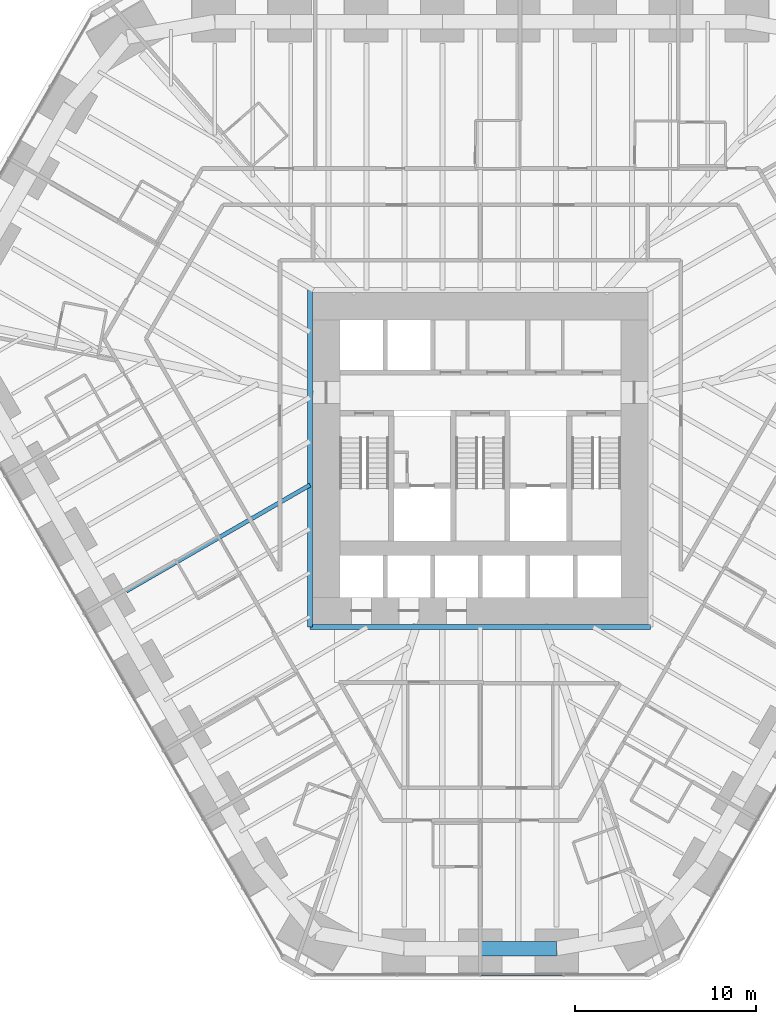
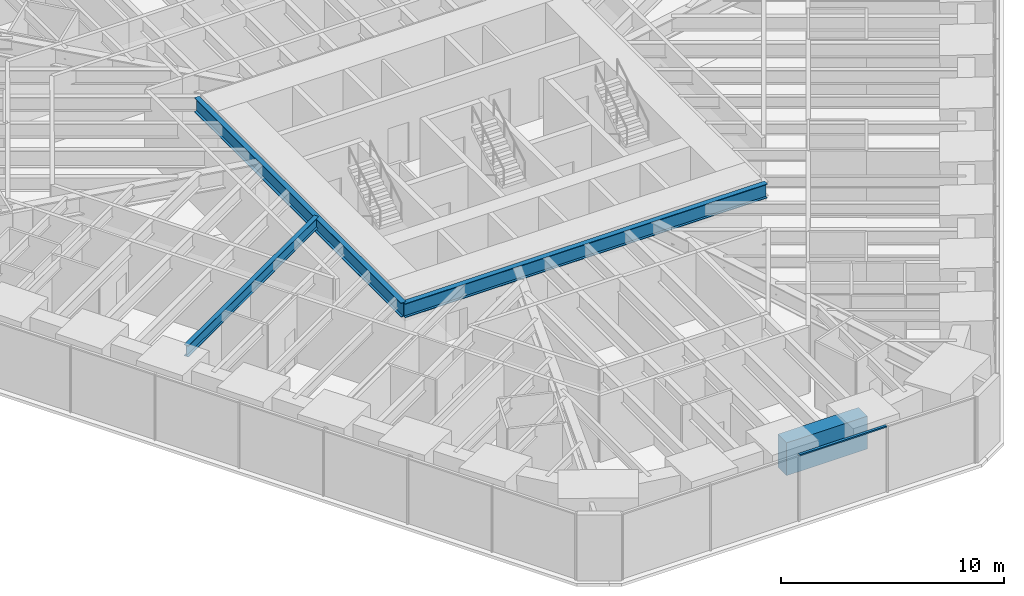
# One storey, part 4 of 17: 4 beams, 1 member, 1 element without a shape of its own.
"""IFC4 building model written with IfcOpenShell, lengths in metres."""

from ifc_helpers import new_model, si_unit, direction, frame, origin, origin_2d, place, context, subcontext, project, spatial, rectangle, i_section, extrude, material, material_profile, profile_set, type_object, element, aggregate, save


model = new_model("IFC4")

# Units and contexts
model_context = context("Model", 3, precision=1e-05, world=origin(), true_north=direction((0.0, 1.0)))
body_context = subcontext(model_context, "Body", "Model", "MODEL_VIEW")
ifc_project = project(units=[si_unit("LENGTHUNIT", "METRE"), si_unit("AREAUNIT", "SQUARE_METRE"), si_unit("VOLUMEUNIT", "CUBIC_METRE"), si_unit("PLANEANGLEUNIT", "RADIAN"), si_unit("MASSUNIT", "GRAM", prefix="KILO")], contexts=[model_context])

# Site, building, storey
site_placement = place(None, origin())
site = spatial("IfcSite", under=ifc_project, at=site_placement, CompositionType="ELEMENT")
building_placement = place(site_placement, origin())
building = spatial("IfcBuilding", under=site, at=building_placement, Name="Sandreach Pilgrim Tower", CompositionType="ELEMENT")
storey_placement = place(building_placement, frame((0.0, 0.0, 57.199951171875)))
storey = spatial("IfcBuildingStorey", under=building, at=storey_placement, Name="L13", CompositionType="ELEMENT", Elevation=57.199951171875)

# Curtain wall, member
ifc_material_1 = material(Name="Aluminium framed curtain wall", Category="aluminium")
curtain_wall_type = type_object("IfcCurtainWallType", Name="Hostel tower curtain wall", PredefinedType="NOTDEFINED", material=ifc_material_1)
curtain_wall_placement = place(storey_placement, origin())
curtain_wall = element("IfcCurtainWall", 1, at=curtain_wall_placement, inside=storey, type_object=curtain_wall_type, Name="CW-1 L13 S", PredefinedType="NOTDEFINED")
ifc_material_2 = material(Name="Aluminium extrusion", Category="aluminium")
ifc_material_profile_1 = material_profile(ifc_material_2, rectangle(XDim=0.139892578125, YDim=0.070068359375, at=origin_2d()), Name="CW-1T 140X70")
ifc_profile_set_1 = profile_set([ifc_material_profile_1], Name="Aluminium extrusion")
member_type = type_object("IfcMemberType", Name="CW-1 transom", PredefinedType="USERDEFINED", material=ifc_profile_set_1)
member_placement = place(storey_placement, frame((4.553466796875, -30.010986328125, 3.60498046875), z_axis=(-1.0, 0.0, 0.0), x_axis=(0.0, -1.0, 0.0)))
member = element("IfcMember", 2, at=member_placement, type_object=member_type, Name="CW-1 head transom 2", ObjectType="TRANSOM", PredefinedType="USERDEFINED", context=body_context, shape_type="SweptSolid", body=[
    extrude(rectangle(XDim=0.139892578125, YDim=0.070068359375, at=origin_2d()), origin(), (0.0, 0.0, 1.0), 4.52099609375),
])
aggregate(curtain_wall, [member])

# Beams
ifc_material_3 = material(Name="Steel ASTM A992 Grade 50", Category="steel")
ifc_material_profile_2 = material_profile(ifc_material_3, i_section(OverallWidth=0.2666015625, OverallDepth=0.77978515625, WebThickness=0.0166015625, FlangeThickness=0.030029296875, at=origin_2d()), Name="W30X148")
ifc_profile_set_2 = profile_set([ifc_material_profile_2], Name="Steel ASTM A992 Grade 50")
beam_type_1 = type_object("IfcBeamType", Name="Core edge beam W30X148", PredefinedType="BEAM", material=ifc_profile_set_2)
beam_1_placement = place(storey_placement, frame((9.393310546875, -10.84326171875, 3.250244140625), z_axis=(-1.0, 0.0, 0.0), x_axis=(0.0, -1.0, 0.0)))
element("IfcBeam", 3, at=beam_1_placement, inside=storey, type_object=beam_type_1, Name="BM L13 CES", PredefinedType="BEAM", context=body_context, shape_type="SweptSolid", body=[
    extrude(i_section(OverallWidth=0.2666015625, OverallDepth=0.77978515625, WebThickness=0.0166015625, FlangeThickness=0.030029296875, at=origin_2d()), origin(), (0.0, 0.0, 1.0), 18.78662109375),
])
beam_2_placement = place(storey_placement, frame((-9.393310546875, -10.84326171875, 3.250244140625), z_axis=(0.0, 1.0, 0.0), x_axis=(-1.0, 0.0, 0.0)))
element("IfcBeam", 4, at=beam_2_placement, inside=storey, type_object=beam_type_1, Name="BM L13 CEW", PredefinedType="BEAM", context=body_context, shape_type="SweptSolid", body=[
    extrude(i_section(OverallWidth=0.2666015625, OverallDepth=0.77978515625, WebThickness=0.0166015625, FlangeThickness=0.030029296875, at=origin_2d()), origin(), (0.0, 0.0, 1.0), 18.586669921875),
])
ifc_material_4 = material(Name="Steel ASTM A992 Grade 50", Category="steel")
ifc_material_profile_3 = material_profile(ifc_material_4, i_section(OverallWidth=0.23046875, OverallDepth=0.6171875, WebThickness=0.01318359375, FlangeThickness=0.022216796875, at=origin_2d()), Name="W24X94")
ifc_profile_set_3 = profile_set([ifc_material_profile_3], Name="Steel ASTM A992 Grade 50")
beam_type_2 = type_object("IfcBeamType", Name="Floor beam W24X94", PredefinedType="BEAM", material=ifc_profile_set_3)
beam_3_placement = place(storey_placement, frame((-19.534912109375, -8.86279296875, 3.33154296875), z_axis=(0.866026578996, 0.499997964469, 0.0), x_axis=(-0.499997964469, 0.866026578996, 0.0)))
element("IfcBeam", 5, at=beam_3_placement, inside=storey, type_object=beam_type_2, Name="BM L13 F31", PredefinedType="BEAM", context=body_context, shape_type="SweptSolid", body=[
    extrude(i_section(OverallWidth=0.23046875, OverallDepth=0.6171875, WebThickness=0.01318359375, FlangeThickness=0.022216796875, at=origin_2d()), origin(), (0.0, 0.0, 1.0), 11.71044921875),
])
ifc_material_5 = material(Name="Concrete 10000 psi", Category="concrete")
ifc_material_profile_4 = material_profile(ifc_material_5, rectangle(XDim=0.800048828125, YDim=1.800048828125, at=origin_2d()), Name="RC800X1800")
ifc_profile_set_4 = profile_set([ifc_material_profile_4], Name="Concrete 10000 psi")
beam_type_3 = type_object("IfcBeamType", Name="Spandrel beam RC800X1800", PredefinedType="SPANDREL", material=ifc_profile_set_4)
beam_4_placement = place(storey_placement, frame((4.19677734375, -28.576416015625, 2.739990234375), z_axis=(-1.0, 0.0, 0.0), x_axis=(0.0, -1.0, 0.0)))
element("IfcBeam", 6, at=beam_4_placement, inside=storey, type_object=beam_type_3, Name="BM L13 SP23", PredefinedType="SPANDREL", context=body_context, shape_type="SweptSolid", body=[
    extrude(rectangle(XDim=0.800048828125, YDim=1.800048828125, at=origin_2d()), origin(), (0.0, 0.0, 1.0), 4.19677734375),
])

save(model, "model.ifc")
